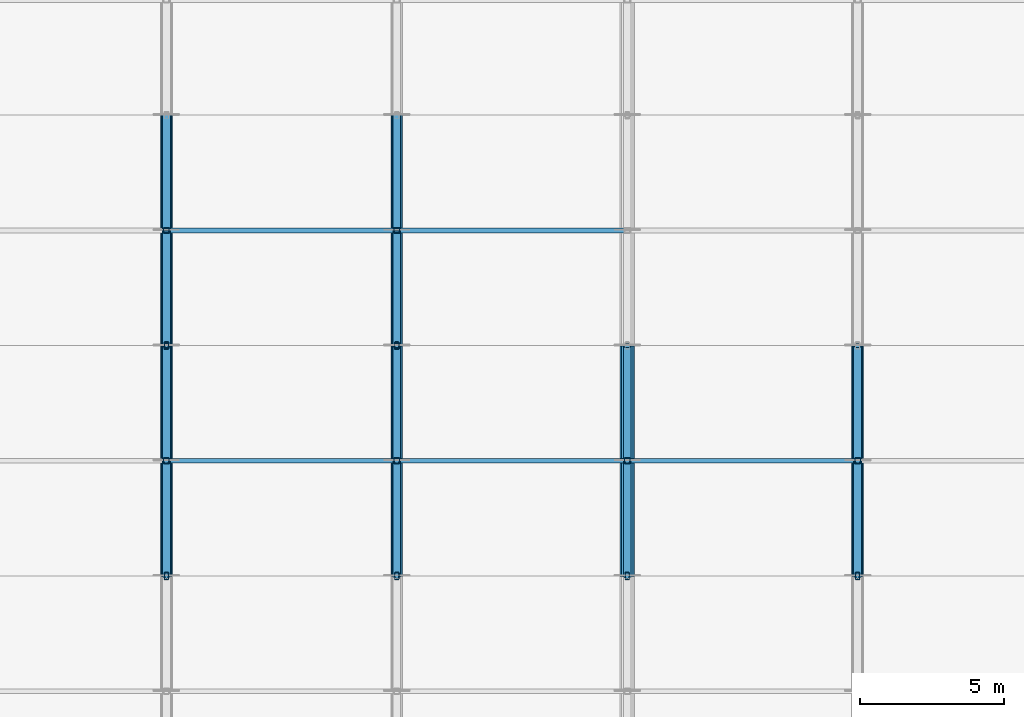
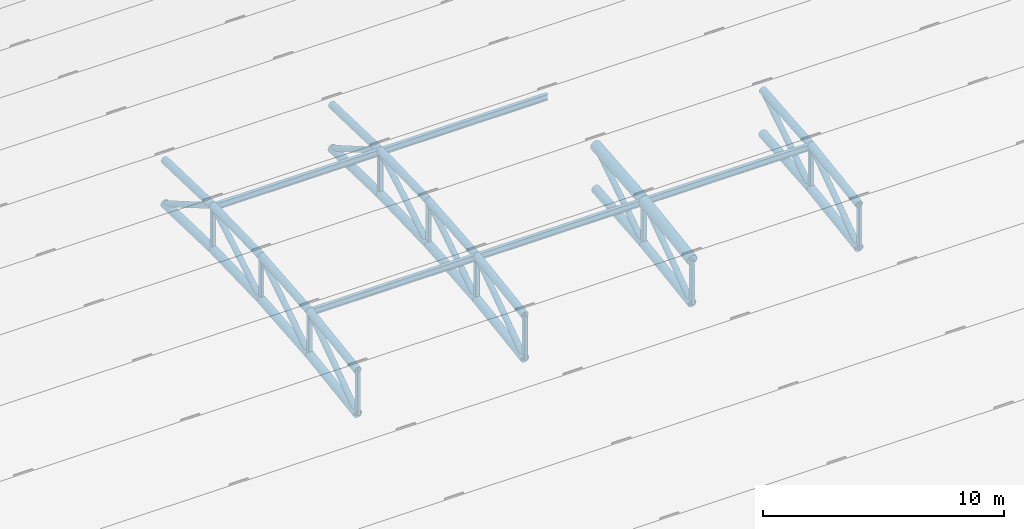
# One storey, part 13 of 98: 53 members.
"""IFC4 building model written with IfcOpenShell, lengths in metres."""

from ifc_helpers import new_model, si_unit, direction, frame, origin, origin_2d, place, context, subcontext, project, spatial, hollow_rectangle, hollow_circle, i_section, extrude, material, material_profile, profile_set, type_object, element, save


model = new_model("IFC4")

# Units and contexts
model_context = context("Model", 3, precision=1e-05, world=origin(), true_north=direction((0.0, 1.0)))
body_context = subcontext(model_context, "Body", "Model", "MODEL_VIEW")
ifc_project = project(units=[si_unit("LENGTHUNIT", "METRE"), si_unit("AREAUNIT", "SQUARE_METRE"), si_unit("VOLUMEUNIT", "CUBIC_METRE"), si_unit("PLANEANGLEUNIT", "RADIAN"), si_unit("MASSUNIT", "GRAM", prefix="KILO")], contexts=[model_context])

# Site, building, storey
site_placement = place(None, origin())
site = spatial("IfcSite", under=ifc_project, at=site_placement, CompositionType="ELEMENT")
building_placement = place(site_placement, origin())
building = spatial("IfcBuilding", under=site, at=building_placement, Name="Tlacozan Convention Centre", CompositionType="ELEMENT")
storey_placement = place(building_placement, frame((0.0, 0.0, 25.800048828125)))
storey = spatial("IfcBuildingStorey", under=building, at=storey_placement, Name="Roof", CompositionType="ELEMENT", Elevation=25.800048828125)

# Members
ifc_material_1 = material(Name="Steel ASTM A500 Grade C", Category="steel")
ifc_material_profile_1 = material_profile(ifc_material_1, hollow_circle(Radius=0.203125, WallThickness=0.015869140625, at=origin_2d()), Name="OC 406.4x15.9")
ifc_profile_set_1 = profile_set([ifc_material_profile_1], Name="Steel ASTM A500 Grade C")
member_type_1 = type_object("IfcMemberType", Name="Arch Bottom Chord OC 406.4x15.9", PredefinedType="CHORD", material=ifc_profile_set_1)
member_1_placement = place(storey_placement, frame((32.0, 82.0, -5.8671875), z_axis=(0.0, 0.98911804631, 0.147124064872), x_axis=(-1.0, 0.0, 0.0)))
element("IfcMember", 1, at=member_1_placement, inside=storey, type_object=member_type_1, Name="V2A Roof Truss 5 Bottom Chord 6", PredefinedType="CHORD", context=body_context, shape_type="SweptSolid", body=[
    extrude(hollow_circle(Radius=0.203125, WallThickness=0.015869140625, at=origin_2d()), origin(), (0.0, 0.0, 1.0), 4.0439453125),
])
member_2_placement = place(storey_placement, frame((32.0, 86.0, -5.272216796875), z_axis=(0.0, 0.996095959668, 0.088277058926), x_axis=(-1.0, 0.0, 0.0)))
element("IfcMember", 2, at=member_2_placement, inside=storey, type_object=member_type_1, Name="V2A Roof Truss 5 Bottom Chord 7", PredefinedType="CHORD", context=body_context, shape_type="SweptSolid", body=[
    extrude(hollow_circle(Radius=0.203125, WallThickness=0.015869140625, at=origin_2d()), origin(), (0.0, 0.0, 1.0), 4.015625),
])
for number, where, z_axis, x_axis, name in (
    (3, (32.0, 90.0, -4.917724609375), (0.0, 0.999567543518, 0.029406222899), (-1.0, 0.0, 0.0), "V2A Roof Truss 5 Bottom Chord 8"),
    (4, (32.0, 94.0, -4.800048828125), (0.0, 0.999567543518, -0.029406222899), (-1.0, 0.0, 0.0), "V2A Roof Truss 5 Bottom Chord 9"),
):
    element("IfcMember", number, at=place(storey_placement, frame(where, z_axis=z_axis, x_axis=x_axis)), inside=storey, type_object=member_type_1, Name=name, PredefinedType="CHORD", context=body_context, shape_type="SweptSolid", body=[
        extrude(hollow_circle(Radius=0.203125, WallThickness=0.015869140625, at=origin_2d()), origin(), (0.0, 0.0, 1.0), 4.001708984375),
    ])
member_3_placement = place(storey_placement, frame((40.0, 82.0, -5.8671875), z_axis=(0.0, 0.98911804631, 0.147124064872), x_axis=(-1.0, 0.0, 0.0)))
element("IfcMember", 5, at=member_3_placement, inside=storey, type_object=member_type_1, Name="V2A Roof Truss 6 Bottom Chord 6", PredefinedType="CHORD", context=body_context, shape_type="SweptSolid", body=[
    extrude(hollow_circle(Radius=0.203125, WallThickness=0.015869140625, at=origin_2d()), origin(), (0.0, 0.0, 1.0), 4.0439453125),
])
member_4_placement = place(storey_placement, frame((40.0, 86.0, -5.272216796875), z_axis=(0.0, 0.996095959668, 0.088277058926), x_axis=(-1.0, 0.0, 0.0)))
element("IfcMember", 6, at=member_4_placement, inside=storey, type_object=member_type_1, Name="V2A Roof Truss 6 Bottom Chord 7", PredefinedType="CHORD", context=body_context, shape_type="SweptSolid", body=[
    extrude(hollow_circle(Radius=0.203125, WallThickness=0.015869140625, at=origin_2d()), origin(), (0.0, 0.0, 1.0), 4.015625),
])
for number, where, z_axis, x_axis, name in (
    (7, (40.0, 90.0, -4.917724609375), (0.0, 0.999567543518, 0.029406222899), (-1.0, 0.0, 0.0), "V2A Roof Truss 6 Bottom Chord 8"),
    (8, (40.0, 94.0, -4.800048828125), (0.0, 0.999567543518, -0.029406222899), (-1.0, 0.0, 0.0), "V2A Roof Truss 6 Bottom Chord 9"),
):
    element("IfcMember", number, at=place(storey_placement, frame(where, z_axis=z_axis, x_axis=x_axis)), inside=storey, type_object=member_type_1, Name=name, PredefinedType="CHORD", context=body_context, shape_type="SweptSolid", body=[
        extrude(hollow_circle(Radius=0.203125, WallThickness=0.015869140625, at=origin_2d()), origin(), (0.0, 0.0, 1.0), 4.001708984375),
    ])
member_5_placement = place(storey_placement, frame((48.0, 82.0, -5.8671875), z_axis=(0.0, 0.98911804631, 0.147124064872), x_axis=(-1.0, 0.0, 0.0)))
element("IfcMember", 9, at=member_5_placement, inside=storey, type_object=member_type_1, Name="V2A Roof Truss 7 Bottom Chord 6", PredefinedType="CHORD", context=body_context, shape_type="SweptSolid", body=[
    extrude(hollow_circle(Radius=0.203125, WallThickness=0.015869140625, at=origin_2d()), origin(), (0.0, 0.0, 1.0), 4.0439453125),
])
member_6_placement = place(storey_placement, frame((48.0, 86.0, -5.272216796875), z_axis=(0.0, 0.996095959668, 0.088277058926), x_axis=(-1.0, 0.0, 0.0)))
element("IfcMember", 10, at=member_6_placement, inside=storey, type_object=member_type_1, Name="V2A Roof Truss 7 Bottom Chord 7", PredefinedType="CHORD", context=body_context, shape_type="SweptSolid", body=[
    extrude(hollow_circle(Radius=0.203125, WallThickness=0.015869140625, at=origin_2d()), origin(), (0.0, 0.0, 1.0), 4.015625),
])
member_7_placement = place(storey_placement, frame((56.0, 82.0, -5.8671875), z_axis=(0.0, 0.98911804631, 0.147124064872), x_axis=(-1.0, 0.0, 0.0)))
element("IfcMember", 11, at=member_7_placement, inside=storey, type_object=member_type_1, Name="V2A Roof Truss 8 Bottom Chord 6", PredefinedType="CHORD", context=body_context, shape_type="SweptSolid", body=[
    extrude(hollow_circle(Radius=0.203125, WallThickness=0.015869140625, at=origin_2d()), origin(), (0.0, 0.0, 1.0), 4.0439453125),
])
member_8_placement = place(storey_placement, frame((56.0, 86.0, -5.272216796875), z_axis=(0.0, 0.996095959668, 0.088277058926), x_axis=(-1.0, 0.0, 0.0)))
element("IfcMember", 12, at=member_8_placement, inside=storey, type_object=member_type_1, Name="V2A Roof Truss 8 Bottom Chord 7", PredefinedType="CHORD", context=body_context, shape_type="SweptSolid", body=[
    extrude(hollow_circle(Radius=0.203125, WallThickness=0.015869140625, at=origin_2d()), origin(), (0.0, 0.0, 1.0), 4.015625),
])
ifc_material_profile_2 = material_profile(ifc_material_1, hollow_circle(Radius=0.25390625, WallThickness=0.01904296875, at=origin_2d()), Name="OC 508.0x19.1")
ifc_profile_set_2 = profile_set([ifc_material_profile_2], Name="Steel ASTM A500 Grade C")
member_type_2 = type_object("IfcMemberType", Name="Arch Top Chord OC 508x19.1", PredefinedType="CHORD", material=ifc_profile_set_2)
member_9_placement = place(storey_placement, frame((48.0, 82.0, -3.667236328125), z_axis=(0.0, 0.98911804631, 0.147124064872), x_axis=(-1.0, 0.0, 0.0)))
element("IfcMember", 13, at=member_9_placement, inside=storey, type_object=member_type_2, Name="V2A Roof Truss 7 Top Chord 6", PredefinedType="CHORD", context=body_context, shape_type="SweptSolid", body=[
    extrude(hollow_circle(Radius=0.25390625, WallThickness=0.01904296875, at=origin_2d()), origin(), (0.0, 0.0, 1.0), 4.0439453125),
])
member_10_placement = place(storey_placement, frame((48.0, 86.0, -3.072265625), z_axis=(0.0, 0.996095959668, 0.088277058926), x_axis=(-1.0, 0.0, 0.0)))
element("IfcMember", 14, at=member_10_placement, inside=storey, type_object=member_type_2, Name="V2A Roof Truss 7 Top Chord 7", PredefinedType="CHORD", context=body_context, shape_type="SweptSolid", body=[
    extrude(hollow_circle(Radius=0.25390625, WallThickness=0.01904296875, at=origin_2d()), origin(), (0.0, 0.0, 1.0), 4.015625),
])
ifc_material_profile_3 = material_profile(ifc_material_1, hollow_circle(Radius=0.136474609375, WallThickness=0.0126953125, at=origin_2d()), Name="OC 273.1x12.7")
ifc_profile_set_3 = profile_set([ifc_material_profile_3], Name="Steel ASTM A500 Grade C")
member_type_3 = type_object("IfcMemberType", Name="Arch Web Diagonal OC 273.1x12.7", PredefinedType="BRACE", material=ifc_profile_set_3)
member_11_placement = place(storey_placement, frame((32.0, 82.0, -5.8671875), z_axis=(0.0, 0.819720523855, 0.572763705877), x_axis=(-1.0, 0.0, 0.0)))
element("IfcMember", 15, at=member_11_placement, inside=storey, type_object=member_type_3, Name="V2A Roof Truss 5 Web Diagonal 6", PredefinedType="BRACE", context=body_context, shape_type="SweptSolid", body=[
    extrude(hollow_circle(Radius=0.136474609375, WallThickness=0.0126953125, at=origin_2d()), origin(), (0.0, 0.0, 1.0), 4.879638671875),
])
member_12_placement = place(storey_placement, frame((32.0, 86.0, -5.272216796875), z_axis=(0.0, 0.842802563321, 0.538222852785), x_axis=(-1.0, 0.0, 0.0)))
element("IfcMember", 16, at=member_12_placement, inside=storey, type_object=member_type_3, Name="V2A Roof Truss 5 Web Diagonal 7", PredefinedType="BRACE", context=body_context, shape_type="SweptSolid", body=[
    extrude(hollow_circle(Radius=0.136474609375, WallThickness=0.0126953125, at=origin_2d()), origin(), (0.0, 0.0, 1.0), 4.74609375),
])
for number, where, z_axis, x_axis, name in (
    (17, (32.0, 90.0, -4.917724609375), (0.0, 0.865253886656, 0.501333932252), (-1.0, 0.0, 0.0), "V2A Roof Truss 5 Web Diagonal 8"),
    (18, (32.0, 94.0, -2.60009765625), (0.0, 0.865253886656, -0.501333932252), (-1.0, 0.0, 0.0), "V2A Roof Truss 5 Web Diagonal 9"),
):
    element("IfcMember", number, at=place(storey_placement, frame(where, z_axis=z_axis, x_axis=x_axis)), inside=storey, type_object=member_type_3, Name=name, PredefinedType="BRACE", context=body_context, shape_type="SweptSolid", body=[
        extrude(hollow_circle(Radius=0.136474609375, WallThickness=0.0126953125, at=origin_2d()), origin(), (0.0, 0.0, 1.0), 4.622802734375),
    ])
member_13_placement = place(storey_placement, frame((40.0, 82.0, -5.8671875), z_axis=(0.0, 0.819720523855, 0.572763705877), x_axis=(-1.0, 0.0, 0.0)))
element("IfcMember", 19, at=member_13_placement, inside=storey, type_object=member_type_3, Name="V2A Roof Truss 6 Web Diagonal 6", PredefinedType="BRACE", context=body_context, shape_type="SweptSolid", body=[
    extrude(hollow_circle(Radius=0.136474609375, WallThickness=0.0126953125, at=origin_2d()), origin(), (0.0, 0.0, 1.0), 4.879638671875),
])
member_14_placement = place(storey_placement, frame((40.0, 86.0, -5.272216796875), z_axis=(0.0, 0.842802563321, 0.538222852785), x_axis=(-1.0, 0.0, 0.0)))
element("IfcMember", 20, at=member_14_placement, inside=storey, type_object=member_type_3, Name="V2A Roof Truss 6 Web Diagonal 7", PredefinedType="BRACE", context=body_context, shape_type="SweptSolid", body=[
    extrude(hollow_circle(Radius=0.136474609375, WallThickness=0.0126953125, at=origin_2d()), origin(), (0.0, 0.0, 1.0), 4.74609375),
])
for number, where, z_axis, x_axis, name in (
    (21, (40.0, 90.0, -4.917724609375), (0.0, 0.865253886656, 0.501333932252), (-1.0, 0.0, 0.0), "V2A Roof Truss 6 Web Diagonal 8"),
    (22, (40.0, 94.0, -2.60009765625), (0.0, 0.865253886656, -0.501333932252), (-1.0, 0.0, 0.0), "V2A Roof Truss 6 Web Diagonal 9"),
):
    element("IfcMember", number, at=place(storey_placement, frame(where, z_axis=z_axis, x_axis=x_axis)), inside=storey, type_object=member_type_3, Name=name, PredefinedType="BRACE", context=body_context, shape_type="SweptSolid", body=[
        extrude(hollow_circle(Radius=0.136474609375, WallThickness=0.0126953125, at=origin_2d()), origin(), (0.0, 0.0, 1.0), 4.622802734375),
    ])
member_15_placement = place(storey_placement, frame((48.0, 82.0, -5.8671875), z_axis=(0.0, 0.819720523855, 0.572763705877), x_axis=(-1.0, 0.0, 0.0)))
element("IfcMember", 23, at=member_15_placement, inside=storey, type_object=member_type_3, Name="V2A Roof Truss 7 Web Diagonal 6", PredefinedType="BRACE", context=body_context, shape_type="SweptSolid", body=[
    extrude(hollow_circle(Radius=0.136474609375, WallThickness=0.0126953125, at=origin_2d()), origin(), (0.0, 0.0, 1.0), 4.879638671875),
])
member_16_placement = place(storey_placement, frame((48.0, 86.0, -5.272216796875), z_axis=(0.0, 0.842802563321, 0.538222852785), x_axis=(-1.0, 0.0, 0.0)))
element("IfcMember", 24, at=member_16_placement, inside=storey, type_object=member_type_3, Name="V2A Roof Truss 7 Web Diagonal 7", PredefinedType="BRACE", context=body_context, shape_type="SweptSolid", body=[
    extrude(hollow_circle(Radius=0.136474609375, WallThickness=0.0126953125, at=origin_2d()), origin(), (0.0, 0.0, 1.0), 4.74609375),
])
member_17_placement = place(storey_placement, frame((56.0, 82.0, -5.8671875), z_axis=(0.0, 0.819720523855, 0.572763705877), x_axis=(-1.0, 0.0, 0.0)))
element("IfcMember", 25, at=member_17_placement, inside=storey, type_object=member_type_3, Name="V2A Roof Truss 8 Web Diagonal 6", PredefinedType="BRACE", context=body_context, shape_type="SweptSolid", body=[
    extrude(hollow_circle(Radius=0.136474609375, WallThickness=0.0126953125, at=origin_2d()), origin(), (0.0, 0.0, 1.0), 4.879638671875),
])
member_18_placement = place(storey_placement, frame((56.0, 86.0, -5.272216796875), z_axis=(0.0, 0.842802563321, 0.538222852785), x_axis=(-1.0, 0.0, 0.0)))
element("IfcMember", 26, at=member_18_placement, inside=storey, type_object=member_type_3, Name="V2A Roof Truss 8 Web Diagonal 7", PredefinedType="BRACE", context=body_context, shape_type="SweptSolid", body=[
    extrude(hollow_circle(Radius=0.136474609375, WallThickness=0.0126953125, at=origin_2d()), origin(), (0.0, 0.0, 1.0), 4.74609375),
])
ifc_material_profile_4 = material_profile(ifc_material_1, hollow_rectangle(XDim=0.203125, YDim=0.203125, WallThickness=0.0126953125, InnerFilletRadius=0.0126953125, OuterFilletRadius=0.02490234375, at=origin_2d()), Name="OR 203x203x12.7")
ifc_profile_set_4 = profile_set([ifc_material_profile_4], Name="Steel ASTM A500 Grade C")
member_type_4 = type_object("IfcMemberType", Name="Arch Web Strut OR 203x203x12.7", PredefinedType="STRUT", material=ifc_profile_set_4)
for number, where, z_axis, x_axis, name in (
    (27, (32.0, 86.0, -5.272216796875), (0.0, 0.0, 1.0), (1.0, 0.0, 0.0), "V2A Roof Truss 5 Vertical Strut 7"),
    (28, (32.0, 94.0, -4.800048828125), (0.0, 0.0, 1.0), (1.0, 0.0, 0.0), "V2A Roof Truss 5 Vertical Strut 9"),
    (29, (40.0, 86.0, -5.272216796875), (0.0, 0.0, 1.0), (1.0, 0.0, 0.0), "V2A Roof Truss 6 Vertical Strut 7"),
    (30, (40.0, 94.0, -4.800048828125), (0.0, 0.0, 1.0), (1.0, 0.0, 0.0), "V2A Roof Truss 6 Vertical Strut 9"),
    (31, (48.0, 86.0, -5.272216796875), (0.0, 0.0, 1.0), (1.0, 0.0, 0.0), "V2A Roof Truss 7 Vertical Strut 7"),
    (32, (56.0, 86.0, -5.272216796875), (0.0, 0.0, 1.0), (1.0, 0.0, 0.0), "V2A Roof Truss 8 Vertical Strut 7"),
):
    element("IfcMember", number, at=place(storey_placement, frame(where, z_axis=z_axis, x_axis=x_axis)), inside=storey, type_object=member_type_4, Name=name, PredefinedType="STRUT", context=body_context, shape_type="SweptSolid", body=[
        extrude(hollow_rectangle(XDim=0.203125, YDim=0.203125, WallThickness=0.0126953125, InnerFilletRadius=0.0126953125, OuterFilletRadius=0.02490234375, at=origin_2d()), origin(), (0.0, 0.0, 1.0), 2.199951171875),
    ])
ifc_material_2 = material(Name="Steel ASTM A992 Grade 50", Category="steel")
ifc_material_profile_5 = material_profile(ifc_material_2, i_section(OverallWidth=0.1669921875, OverallDepth=0.31689453125, WebThickness=0.007568359375, FlangeThickness=0.01318359375, FilletRadius=0.010009765625, at=origin_2d()), Name="IR 305x52.2")
ifc_profile_set_5 = profile_set([ifc_material_profile_5], Name="Steel ASTM A992 Grade 50")
member_type_5 = type_object("IfcMemberType", Name="Roof Purlin IR 305x52.2", PredefinedType="PURLIN", material=ifc_profile_set_5)
for number, where, z_axis, x_axis, name in (
    (33, (32.0, 86.0, -3.13720703125), (1.0, 0.0, 0.0), (0.0, 1.0, 0.0), "V2A Roof Truss Purlin 5.7"),
    (34, (32.0, 94.0, -2.6650390625), (1.0, 0.0, 0.0), (0.0, 1.0, 0.0), "V2A Roof Truss Purlin 5.9"),
    (35, (40.0, 86.0, -3.13720703125), (1.0, 0.0, 0.0), (0.0, 1.0, 0.0), "V2A Roof Truss Purlin 6.7"),
    (36, (40.0, 94.0, -2.6650390625), (1.0, 0.0, 0.0), (0.0, 1.0, 0.0), "V2A Roof Truss Purlin 6.9"),
    (37, (48.0, 86.0, -3.13720703125), (1.0, 0.0, 0.0), (0.0, 1.0, 0.0), "V2A Roof Truss Purlin 7.7"),
):
    element("IfcMember", number, at=place(storey_placement, frame(where, z_axis=z_axis, x_axis=x_axis)), inside=storey, type_object=member_type_5, Name=name, PredefinedType="PURLIN", context=body_context, shape_type="SweptSolid", body=[
        extrude(i_section(OverallWidth=0.1669921875, OverallDepth=0.31689453125, WebThickness=0.007568359375, FlangeThickness=0.01318359375, FilletRadius=0.010009765625, at=origin_2d()), origin(), (0.0, 0.0, 1.0), 8.0),
    ])
ifc_material_profile_6 = material_profile(ifc_material_1, hollow_circle(Radius=0.177734375, WallThickness=0.015869140625, at=origin_2d()), Name="OC 355.6x15.9")
ifc_profile_set_6 = profile_set([ifc_material_profile_6], Name="Steel ASTM A500 Grade C")
member_type_6 = type_object("IfcMemberType", Name="Secondary Arch Chord OC 355.6x15.9", PredefinedType="CHORD", material=ifc_profile_set_6)
member_19_placement = place(storey_placement, frame((32.0, 82.0, -3.667236328125), z_axis=(0.0, 0.98911804631, 0.147124064872), x_axis=(-1.0, 0.0, 0.0)))
element("IfcMember", 38, at=member_19_placement, inside=storey, type_object=member_type_6, Name="V2A Roof Truss 5 Top Chord 6", PredefinedType="CHORD", context=body_context, shape_type="SweptSolid", body=[
    extrude(hollow_circle(Radius=0.177734375, WallThickness=0.015869140625, at=origin_2d()), origin(), (0.0, 0.0, 1.0), 4.0439453125),
])
member_20_placement = place(storey_placement, frame((32.0, 86.0, -3.072265625), z_axis=(0.0, 0.996095959668, 0.088277058926), x_axis=(-1.0, 0.0, 0.0)))
element("IfcMember", 39, at=member_20_placement, inside=storey, type_object=member_type_6, Name="V2A Roof Truss 5 Top Chord 7", PredefinedType="CHORD", context=body_context, shape_type="SweptSolid", body=[
    extrude(hollow_circle(Radius=0.177734375, WallThickness=0.015869140625, at=origin_2d()), origin(), (0.0, 0.0, 1.0), 4.015625),
])
for number, where, z_axis, x_axis, name in (
    (40, (32.0, 90.0, -2.7177734375), (0.0, 0.999567543518, 0.029406222899), (-1.0, 0.0, 0.0), "V2A Roof Truss 5 Top Chord 8"),
    (41, (32.0, 94.0, -2.60009765625), (0.0, 0.999567543518, -0.029406222899), (-1.0, 0.0, 0.0), "V2A Roof Truss 5 Top Chord 9"),
):
    element("IfcMember", number, at=place(storey_placement, frame(where, z_axis=z_axis, x_axis=x_axis)), inside=storey, type_object=member_type_6, Name=name, PredefinedType="CHORD", context=body_context, shape_type="SweptSolid", body=[
        extrude(hollow_circle(Radius=0.177734375, WallThickness=0.015869140625, at=origin_2d()), origin(), (0.0, 0.0, 1.0), 4.001708984375),
    ])
member_21_placement = place(storey_placement, frame((40.0, 82.0, -3.667236328125), z_axis=(0.0, 0.98911804631, 0.147124064872), x_axis=(-1.0, 0.0, 0.0)))
element("IfcMember", 42, at=member_21_placement, inside=storey, type_object=member_type_6, Name="V2A Roof Truss 6 Top Chord 6", PredefinedType="CHORD", context=body_context, shape_type="SweptSolid", body=[
    extrude(hollow_circle(Radius=0.177734375, WallThickness=0.015869140625, at=origin_2d()), origin(), (0.0, 0.0, 1.0), 4.0439453125),
])
member_22_placement = place(storey_placement, frame((40.0, 86.0, -3.072265625), z_axis=(0.0, 0.996095959668, 0.088277058926), x_axis=(-1.0, 0.0, 0.0)))
element("IfcMember", 43, at=member_22_placement, inside=storey, type_object=member_type_6, Name="V2A Roof Truss 6 Top Chord 7", PredefinedType="CHORD", context=body_context, shape_type="SweptSolid", body=[
    extrude(hollow_circle(Radius=0.177734375, WallThickness=0.015869140625, at=origin_2d()), origin(), (0.0, 0.0, 1.0), 4.015625),
])
for number, where, z_axis, x_axis, name in (
    (44, (40.0, 90.0, -2.7177734375), (0.0, 0.999567543518, 0.029406222899), (-1.0, 0.0, 0.0), "V2A Roof Truss 6 Top Chord 8"),
    (45, (40.0, 94.0, -2.60009765625), (0.0, 0.999567543518, -0.029406222899), (-1.0, 0.0, 0.0), "V2A Roof Truss 6 Top Chord 9"),
):
    element("IfcMember", number, at=place(storey_placement, frame(where, z_axis=z_axis, x_axis=x_axis)), inside=storey, type_object=member_type_6, Name=name, PredefinedType="CHORD", context=body_context, shape_type="SweptSolid", body=[
        extrude(hollow_circle(Radius=0.177734375, WallThickness=0.015869140625, at=origin_2d()), origin(), (0.0, 0.0, 1.0), 4.001708984375),
    ])
member_23_placement = place(storey_placement, frame((56.0, 82.0, -3.667236328125), z_axis=(0.0, 0.98911804631, 0.147124064872), x_axis=(-1.0, 0.0, 0.0)))
element("IfcMember", 46, at=member_23_placement, inside=storey, type_object=member_type_6, Name="V2A Roof Truss 8 Top Chord 6", PredefinedType="CHORD", context=body_context, shape_type="SweptSolid", body=[
    extrude(hollow_circle(Radius=0.177734375, WallThickness=0.015869140625, at=origin_2d()), origin(), (0.0, 0.0, 1.0), 4.0439453125),
])
member_24_placement = place(storey_placement, frame((56.0, 86.0, -3.072265625), z_axis=(0.0, 0.996095959668, 0.088277058926), x_axis=(-1.0, 0.0, 0.0)))
element("IfcMember", 47, at=member_24_placement, inside=storey, type_object=member_type_6, Name="V2A Roof Truss 8 Top Chord 7", PredefinedType="CHORD", context=body_context, shape_type="SweptSolid", body=[
    extrude(hollow_circle(Radius=0.177734375, WallThickness=0.015869140625, at=origin_2d()), origin(), (0.0, 0.0, 1.0), 4.015625),
])
ifc_material_profile_7 = material_profile(ifc_material_1, hollow_rectangle(XDim=0.15234375, YDim=0.25390625, WallThickness=0.0126953125, InnerFilletRadius=0.0126953125, OuterFilletRadius=0.02490234375, at=origin_2d()), Name="OR 254x152x12.7")
ifc_profile_set_7 = profile_set([ifc_material_profile_7], Name="Steel ASTM A500 Grade C")
member_type_7 = type_object("IfcMemberType", Name="Truss Secondary Strut OR 254x152x12.7", PredefinedType="STRUT", material=ifc_profile_set_7)
for number, where, z_axis, x_axis, name in (
    (48, (32.0, 82.0, -5.8671875), (0.0, 0.0, 1.0), (1.0, 0.0, 0.0), "V2A Roof Truss 5 Vertical Strut 6"),
    (49, (32.0, 90.0, -4.917724609375), (0.0, 0.0, 1.0), (1.0, 0.0, 0.0), "V2A Roof Truss 5 Vertical Strut 8"),
    (50, (40.0, 82.0, -5.8671875), (0.0, 0.0, 1.0), (1.0, 0.0, 0.0), "V2A Roof Truss 6 Vertical Strut 6"),
    (51, (40.0, 90.0, -4.917724609375), (0.0, 0.0, 1.0), (1.0, 0.0, 0.0), "V2A Roof Truss 6 Vertical Strut 8"),
    (52, (48.0, 82.0, -5.8671875), (0.0, 0.0, 1.0), (1.0, 0.0, 0.0), "V2A Roof Truss 7 Vertical Strut 6"),
    (53, (56.0, 82.0, -5.8671875), (0.0, 0.0, 1.0), (1.0, 0.0, 0.0), "V2A Roof Truss 8 Vertical Strut 6"),
):
    element("IfcMember", number, at=place(storey_placement, frame(where, z_axis=z_axis, x_axis=x_axis)), inside=storey, type_object=member_type_7, Name=name, PredefinedType="STRUT", context=body_context, shape_type="SweptSolid", body=[
        extrude(hollow_rectangle(XDim=0.15234375, YDim=0.25390625, WallThickness=0.0126953125, InnerFilletRadius=0.0126953125, OuterFilletRadius=0.02490234375, at=origin_2d()), origin(), (0.0, 0.0, 1.0), 2.199951171875),
    ])

save(model, "model.ifc")
